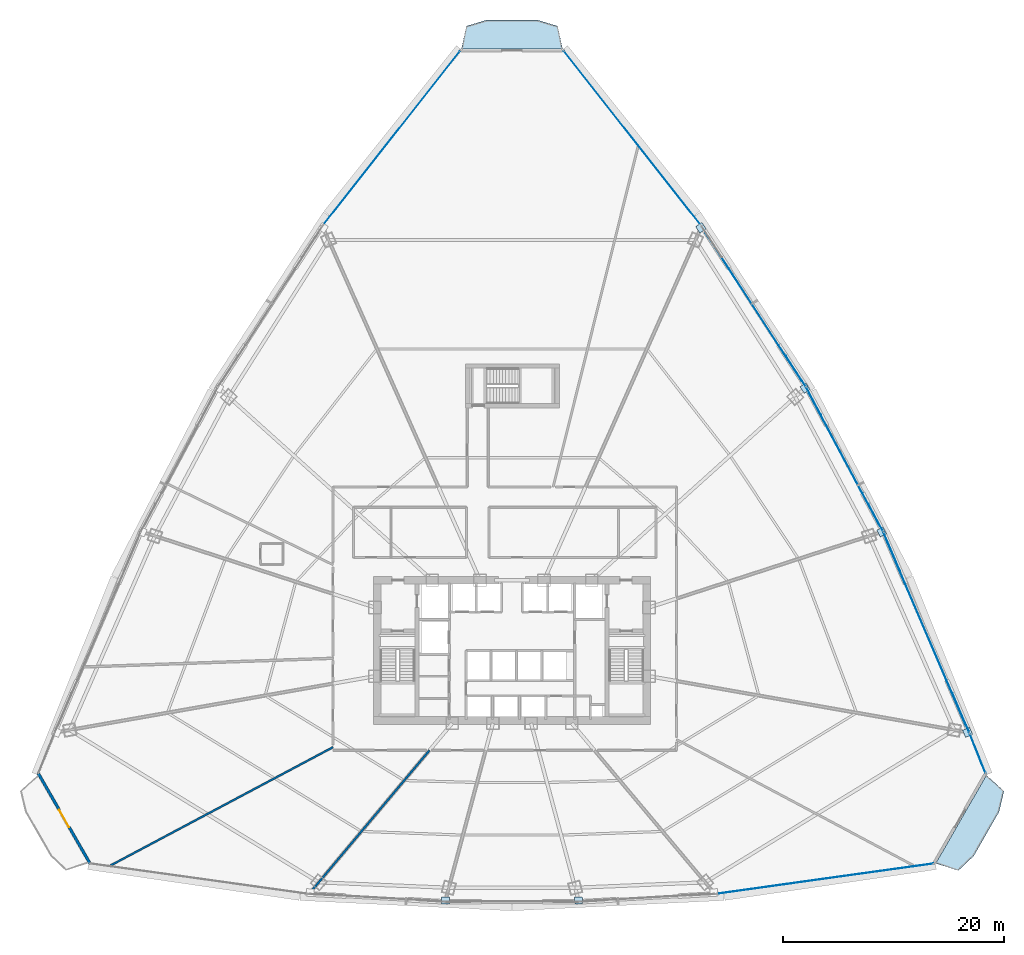
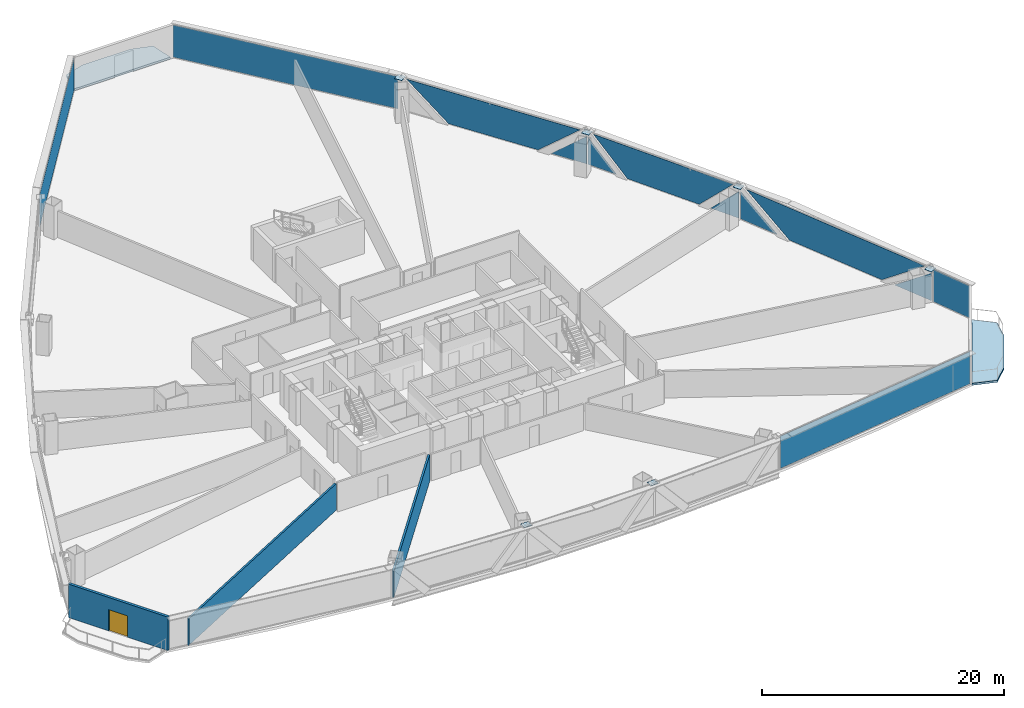
# One storey, part 28 of 37: 18 plates, 3 walls, 2 slabs, 1 door, 1 opening, 7 elements without a shape of their own.
"""IFC4 building model written with IfcOpenShell, lengths in metres."""

from ifc_helpers import new_model, si_unit, direction, frame, frame_2d, origin, origin_with_axes, origin_2d, place, context, subcontext, project, spatial, polyline, rectangle, outline, extrude, source, transform, mapped, material, layer, layer_set, type_object, element, fill, aggregate, save


model = new_model("IFC4")

# Units and contexts
model_context = context("Model", 3, precision=1e-05, world=origin(), true_north=direction((0.0, 1.0)))
body_context = subcontext(model_context, "Body", "Model", "MODEL_VIEW")
ifc_project = project(units=[si_unit("LENGTHUNIT", "METRE"), si_unit("AREAUNIT", "SQUARE_METRE"), si_unit("VOLUMEUNIT", "CUBIC_METRE"), si_unit("PLANEANGLEUNIT", "RADIAN"), si_unit("MASSUNIT", "GRAM", prefix="KILO"), si_unit("THERMODYNAMICTEMPERATUREUNIT", "KELVIN"), si_unit("POWERUNIT", "WATT")], contexts=[model_context])

# Site, building, storey
site_placement = place(None, origin())
site = spatial("IfcSite", under=ifc_project, at=site_placement, CompositionType="ELEMENT")
building_placement = place(site_placement, origin())
building = spatial("IfcBuilding", under=site, at=building_placement, Name="Yunzhuo Pagoda Commons", CompositionType="ELEMENT")
storey_placement = place(building_placement, frame((0.0, 0.0, 59.43994140625)))
storey = spatial("IfcBuildingStorey", under=building, at=storey_placement, Name="L15", CompositionType="ELEMENT", Elevation=59.43994140625)

# Curtain wall, plates
ifc_material_1 = material(Name="Anodized aluminium 6063-T6", Category="aluminium")
ifc_layer_1 = layer(ifc_material_1, 0.1650390625)
ifc_layer_set_1 = layer_set([ifc_layer_1], Name="Anodized aluminium 6063-T6")
curtain_wall_type = type_object("IfcCurtainWallType", Name="CW-LOW Low-Zone Ribbon Curtain Wall", PredefinedType="NOTDEFINED", material=ifc_layer_set_1)
curtain_wall_1_placement = place(storey_placement, origin())
curtain_wall_1 = element("IfcCurtainWall", 1, at=curtain_wall_1_placement, inside=storey, type_object=curtain_wall_type, Name="L15 curtain wall CW-L15-F2B2", PredefinedType="NOTDEFINED")
ifc_material_2 = material(Name="Tempered low-e double glazing", Category="glass")
ifc_layer_2 = layer(ifc_material_2, 0.028076171875)
ifc_layer_set_2 = layer_set([ifc_layer_2], Name="Tempered low-e double glazing")
plate_type_1 = type_object("IfcPlateType", Name="CW-LOW-P Low-E Double Glazing 28", PredefinedType="CURTAIN_PANEL", material=ifc_layer_set_2)
plate_1_placement = place(storey_placement, frame((88.630615234375, 28.201904296875, 1.455810546875), z_axis=(0.918993139703, 0.394273520769, 0.0), x_axis=(-0.394273520769, 0.918993139703, 0.0)))
plate_1 = element("IfcPlate", 2, at=plate_1_placement, type_object=plate_type_1, Name="CW panel 1.1 lite 1", PredefinedType="CURTAIN_PANEL", context=body_context, shape_type="SweptSolid", body=[
    extrude(outline(polyline([(-1.906005859375, -1.395751953125), (1.906005859375, -1.395751953125), (-1.906005859375, 1.395751953125), (-1.906005859375, -1.395751953125)])), origin(), (0.0, 0.0, 1.0), 0.028076171875),
])
plate_2_placement = place(storey_placement, frame((85.47119140625, 35.489990234375, 1.68505859375), z_axis=(0.918993139703, 0.394273520769, 0.0), x_axis=(-0.394273520769, 0.918993139703, 0.0)))
plate_2 = element("IfcPlate", 3, at=plate_2_placement, type_object=plate_type_1, Name="CW panel 1.1 lite 2", PredefinedType="CURTAIN_PANEL", context=body_context, shape_type="SweptSolid", body=[
    extrude(outline(polyline([(-9.18896484375, 1.625), (-4.750732421875, -1.625), (4.750732421875, -1.625), (9.18896484375, 1.625), (-9.18896484375, 1.625)])), origin(), (0.0, 0.0, 1.0), 0.028076171875),
])
plate_3_placement = place(storey_placement, frame((82.366943359375, 42.801513671875, 1.455810546875), z_axis=(0.918993139703, 0.394273520769, 0.0), x_axis=(-0.394273520769, 0.918993139703, 0.0)))
plate_3 = element("IfcPlate", 4, at=plate_3_placement, type_object=plate_type_1, Name="CW panel 1.1 lite 3", PredefinedType="CURTAIN_PANEL", context=body_context, shape_type="SweptSolid", body=[
    extrude(outline(polyline([(-1.906005859375, -1.395751953125), (1.906005859375, -1.395751953125), (1.906005859375, 1.395751953125), (-1.906005859375, -1.395751953125)])), origin(), (0.0, 0.0, 1.0), 0.028076171875),
])
aggregate(curtain_wall_1, [plate_1, plate_2, plate_3])

curtain_wall_2_placement = place(storey_placement, origin())
curtain_wall_2 = element("IfcCurtainWall", 5, at=curtain_wall_2_placement, inside=storey, type_object=curtain_wall_type, Name="L15 curtain wall CW-L15-F2B3", PredefinedType="NOTDEFINED")
plate_4_placement = place(storey_placement, frame((80.908935546875, 45.890380859375, 1.4169921875), z_axis=(0.882469570104, 0.470369490762, 0.0), x_axis=(-0.470369490762, 0.882469570104, 0.0)))
plate_4 = element("IfcPlate", 6, at=plate_4_placement, type_object=plate_type_1, Name="CW panel 1.1 lite 1", PredefinedType="CURTAIN_PANEL", context=body_context, shape_type="SweptSolid", body=[
    extrude(outline(polyline([(-1.3837890625, -1.35693359375), (1.3837890625, -1.35693359375), (-1.3837890625, 1.35693359375), (-1.3837890625, -1.35693359375)])), origin(), (0.0, 0.0, 1.0), 0.028076171875),
])
plate_5_placement = place(storey_placement, frame((78.08154296875, 51.131103515625, 1.68505859375), z_axis=(0.882469570104, 0.470369490762, 0.0), x_axis=(-0.470369490762, 0.882469570104, 0.0)))
plate_5 = element("IfcPlate", 7, at=plate_5_placement, type_object=plate_type_1, Name="CW panel 1.1 lite 2", PredefinedType="CURTAIN_PANEL", context=body_context, shape_type="SweptSolid", body=[
    extrude(outline(polyline([(-6.799560546875, 1.625), (-3.4853515625, -1.625), (3.4853515625, -1.625), (6.799560546875, 1.625), (-6.799560546875, 1.625)])), origin(), (0.0, 0.0, 1.0), 0.028076171875),
])
plate_6_placement = place(storey_placement, frame((75.30712890625, 56.39990234375, 1.4169921875), z_axis=(0.882469570104, 0.470369490762, 0.0), x_axis=(-0.470369490762, 0.882469570104, 0.0)))
plate_6 = element("IfcPlate", 8, at=plate_6_placement, type_object=plate_type_1, Name="CW panel 1.1 lite 3", PredefinedType="CURTAIN_PANEL", context=body_context, shape_type="SweptSolid", body=[
    extrude(outline(polyline([(-1.3837890625, -1.35693359375), (1.3837890625, -1.35693359375), (1.3837890625, 1.35693359375), (-1.3837890625, -1.35693359375)])), origin(), (0.0, 0.0, 1.0), 0.028076171875),
])
aggregate(curtain_wall_2, [plate_4, plate_5, plate_6])

curtain_wall_3_placement = place(storey_placement, origin())
curtain_wall_3 = element("IfcCurtainWall", 9, at=curtain_wall_3_placement, inside=storey, type_object=curtain_wall_type, Name="L15 curtain wall CW-L15-F2B4", PredefinedType="NOTDEFINED")
plate_7_placement = place(storey_placement, frame((73.691162109375, 59.118408203125, 1.4404296875), z_axis=(0.838776712394, 0.544475552018, 0.0), x_axis=(-0.544475552018, 0.838776712394, 0.0)))
plate_7 = element("IfcPlate", 10, at=plate_7_placement, type_object=plate_type_1, Name="CW panel 1.1 lite 1", PredefinedType="CURTAIN_PANEL", context=body_context, shape_type="SweptSolid", body=[
    extrude(outline(polyline([(-1.652587890625, -1.38037109375), (1.65283203125, -1.38037109375), (-1.652587890625, 1.38037109375), (-1.652587890625, -1.38037109375)])), origin(), (0.0, 0.0, 1.0), 0.028076171875),
])
plate_8_placement = place(storey_placement, frame((69.867919921875, 64.952880859375, 1.68505859375), z_axis=(0.838776712394, 0.544475552018, 0.0), x_axis=(-0.544475552018, 0.838776712394, 0.0)))
plate_8 = element("IfcPlate", 11, at=plate_8_placement, type_object=plate_type_1, Name="CW panel 1.1 lite 2", PredefinedType="CURTAIN_PANEL", context=body_context, shape_type="SweptSolid", body=[
    extrude(outline(polyline([(-8.028564453125, 1.625), (-4.136962890625, -1.625), (4.136962890625, -1.625), (8.028564453125, 1.625), (-8.028564453125, 1.625)])), origin(), (0.0, 0.0, 1.0), 0.028076171875),
])
aggregate(curtain_wall_3, [plate_7, plate_8])

# Slabs
ifc_material_3 = material(Name="Concrete C40", Category="concrete")
ifc_layer_3 = layer(ifc_material_3, 0.199951171875)
ifc_layer_set_3 = layer_set([ifc_layer_3], Name="Concrete C40")
slab_type = type_object("IfcSlabType", Name="SL-BAL Vertex Balcony Deck Slab 200", PredefinedType="FLOOR", material=ifc_layer_set_3)
slab_1_placement = place(storey_placement, frame((0.0, 0.0, -0.199951171875)))
element("IfcSlab", 12, at=slab_1_placement, inside=storey, type_object=slab_type, Name="L15 corner balcony V2", PredefinedType="FLOOR", context=body_context, shape_type="SweptSolid", body=[
    extrude(outline(polyline([(86.37548828125, 14.561767578125), (90.95849609375, 22.5439453125), (92.551513671875, 21.110595703125), (92.106689453125, 19.2314453125), (89.815185546875, 15.240234375), (88.41650390625, 13.908935546875), (86.37548828125, 14.561767578125)])), origin(), (0.0, 0.0, 1.0), 0.199951171875),
])
slab_2_placement = place(storey_placement, frame((0.0, 0.0, -0.199951171875)))
element("IfcSlab", 13, at=slab_2_placement, inside=storey, type_object=slab_type, Name="L15 corner balcony V3", PredefinedType="FLOOR", context=body_context, shape_type="SweptSolid", body=[
    extrude(outline(polyline([(52.5830078125, 88.285400390625), (43.4169921875, 88.285400390625), (43.866943359375, 90.38037109375), (45.70849609375, 90.930419921875), (50.29150390625, 90.930419921875), (52.133056640625, 90.38037109375), (52.5830078125, 88.285400390625)])), origin(), (0.0, 0.0, 1.0), 0.199951171875),
])

# Plates
ifc_material_4 = material(Name="Structural steel Q355B", Category="steel")
ifc_layer_4 = layer(ifc_material_4, 0.028076171875)
ifc_layer_set_4 = layer_set([ifc_layer_4], Name="Structural steel Q355B")
plate_type_2 = type_object("IfcPlateType", Name="SP-ND1 Lattice Node Cap Plate 800x500x28", PredefinedType="USERDEFINED", material=ifc_layer_set_4)
shared_shape_1 = source(origin(), body_context, "Body", "SweptSolid", [
    extrude(rectangle(XDim=0.699951171875, YDim=0.62255859375, at=origin_2d()), origin(), (0.0, 0.0, 1.0), 0.035888671875),
])
for number, where, z_axis, x_axis, name in (
    (14, (41.972900390625, 11.206298828125, 3.33203125), (0.0, 0.0, 1.0), (1.0, 0.0, 0.0), "L15 setback lattice tie plate F1.2L"),
    (15, (54.027099609375, 11.206298828125, 3.33203125), (0.0, 0.0, 1.0), (0.998335783049, 0.057668572754, 0.0), "L15 setback lattice tie plate F1.3L"),
):
    element("IfcPlate", number, at=place(storey_placement, frame(where, z_axis=z_axis, x_axis=x_axis)), inside=storey, type_object=plate_type_2, Name=name, ObjectType="STIFFENER_PLATE", PredefinedType="USERDEFINED", context=body_context, shape_type="MappedRepresentation", body=[
        mapped(shared_shape_1, transform((0.0, 0.0, 0.0), scale=1.0)),
    ])
shared_shape_2 = source(origin(), body_context, "Body", "SweptSolid", [
    extrude(rectangle(XDim=0.699951171875, YDim=0.694091796875, at=origin_2d()), origin(), (0.0, 0.0, 1.0), 0.035888671875),
])
plate_9_placement = place(storey_placement, frame((89.251220703125, 26.42626953125, 3.33203125), z_axis=(0.0, 0.0, 1.0), x_axis=(-0.39427876382, 0.918990890271, 0.0)))
element("IfcPlate", 16, at=plate_9_placement, inside=storey, type_object=plate_type_2, Name="L15 setback lattice tie plate F2.1L", ObjectType="STIFFENER_PLATE", PredefinedType="USERDEFINED", context=body_context, shape_type="MappedRepresentation", body=[
    mapped(shared_shape_2, transform((0.0, 0.0, 0.0), scale=1.0)),
])
shared_shape_3 = source(origin(), body_context, "Body", "SweptSolid", [
    extrude(rectangle(XDim=0.699951171875, YDim=0.6328125, at=origin_2d()), origin(), (0.0, 0.0, 1.0), 0.035888671875),
])
plate_10_placement = place(storey_placement, frame((81.468505859375, 44.57470703125, 3.33203125), z_axis=(0.0, 0.0, 1.0), x_axis=(-0.470365121964, 0.882471898725, 0.0)))
element("IfcPlate", 17, at=plate_10_placement, inside=storey, type_object=plate_type_2, Name="L15 setback lattice tie plate F2.2L", ObjectType="STIFFENER_PLATE", PredefinedType="USERDEFINED", context=body_context, shape_type="MappedRepresentation", body=[
    mapped(shared_shape_3, transform((0.0, 0.0, 0.0), scale=1.0)),
])
shared_shape_4 = source(origin(), body_context, "Body", "SweptSolid", [
    extrude(rectangle(XDim=0.699951171875, YDim=0.63134765625, at=origin_2d()), origin(), (0.0, 0.0, 1.0), 0.035888671875),
])
plate_11_placement = place(storey_placement, frame((74.533447265625, 57.5908203125, 3.33203125), z_axis=(0.0, 0.0, 1.0), x_axis=(-0.544478011788, 0.838775115677, 0.0)))
element("IfcPlate", 18, at=plate_11_placement, inside=storey, type_object=plate_type_2, Name="L15 setback lattice tie plate F2.3L", ObjectType="STIFFENER_PLATE", PredefinedType="USERDEFINED", context=body_context, shape_type="MappedRepresentation", body=[
    mapped(shared_shape_4, transform((0.0, 0.0, 0.0), scale=1.0)),
])
shared_shape_5 = source(origin(), body_context, "Body", "SweptSolid", [
    extrude(rectangle(XDim=0.699951171875, YDim=0.678955078125, at=origin_2d()), origin(), (0.0, 0.0, 1.0), 0.035888671875),
])
plate_12_placement = place(storey_placement, frame((65.104736328125, 72.117919921875, 3.33203125), z_axis=(0.0, 0.0, 1.0), x_axis=(-0.544478011788, 0.838775115677, 0.0)))
element("IfcPlate", 19, at=plate_12_placement, inside=storey, type_object=plate_type_2, Name="L15 setback lattice tie plate F2.3R", ObjectType="STIFFENER_PLATE", PredefinedType="USERDEFINED", context=body_context, shape_type="MappedRepresentation", body=[
    mapped(shared_shape_5, transform((0.0, 0.0, 0.0), scale=1.0)),
])

# Curtain wall, plate
curtain_wall_4_placement = place(storey_placement, origin())
curtain_wall_4 = element("IfcCurtainWall", 20, at=curtain_wall_4_placement, inside=storey, type_object=curtain_wall_type, Name="L15 curtain wall CW-L15-F1B5", PredefinedType="NOTDEFINED")
shared_shape_6 = source(origin(), body_context, "Body", "SweptSolid", [
    extrude(rectangle(XDim=19.809814453125, YDim=0.028076171875, at=origin_2d()), origin(), (0.0, 0.0, 1.0), 3.25),
])
plate_13_placement = place(storey_placement, frame((76.336669921875, 13.171630859375, 0.06005859375), z_axis=(0.0, 0.0, 1.0), x_axis=(0.990445462871, 0.13790498569, 0.0)))
plate_13 = element("IfcPlate", 21, at=plate_13_placement, type_object=plate_type_1, Name="CW panel 1.1", PredefinedType="CURTAIN_PANEL", context=body_context, shape_type="MappedRepresentation", body=[
    mapped(shared_shape_6, transform((0.0, 0.0, 0.0), scale=1.0)),
])
aggregate(curtain_wall_4, [plate_13])

curtain_wall_5_placement = place(storey_placement, origin())
curtain_wall_5 = element("IfcCurtainWall", 22, at=curtain_wall_5_placement, inside=storey, type_object=curtain_wall_type, Name="L15 curtain wall CW-L15-F2B1", PredefinedType="NOTDEFINED")
shared_shape_7 = source(origin(), body_context, "Body", "SweptSolid", [
    extrude(rectangle(XDim=3.7783203125, YDim=0.028076171875, at=origin_2d()), origin(), (0.0, 0.0, 1.0), 3.25),
])
plate_14_placement = place(storey_placement, frame((90.16845703125, 24.510009765625, 0.06005859375), z_axis=(0.0, 0.0, 1.0), x_axis=(-0.368614284542, 0.929582438104, 0.0)))
plate_14 = element("IfcPlate", 23, at=plate_14_placement, type_object=plate_type_1, Name="CW panel 1.1", PredefinedType="CURTAIN_PANEL", context=body_context, shape_type="MappedRepresentation", body=[
    mapped(shared_shape_7, transform((0.0, 0.0, 0.0), scale=1.0)),
])
aggregate(curtain_wall_5, [plate_14])

curtain_wall_6_placement = place(storey_placement, origin())
curtain_wall_6 = element("IfcCurtainWall", 24, at=curtain_wall_6_placement, inside=storey, type_object=curtain_wall_type, Name="L15 curtain wall CW-L15-F2B5", PredefinedType="NOTDEFINED")
shared_shape_8 = source(origin(), body_context, "Body", "SweptSolid", [
    extrude(rectangle(XDim=20.002197265625, YDim=0.028076171875, at=origin_2d()), origin(), (0.0, 0.0, 1.0), 3.25),
])
plate_15_placement = place(storey_placement, frame((58.901611328125, 80.23876953125, 0.06005859375), z_axis=(0.0, 0.0, 1.0), x_axis=(-0.618272474794, 0.785963833081, 0.0)))
plate_15 = element("IfcPlate", 25, at=plate_15_placement, type_object=plate_type_1, Name="CW panel 1.1", PredefinedType="CURTAIN_PANEL", context=body_context, shape_type="MappedRepresentation", body=[
    mapped(shared_shape_8, transform((0.0, 0.0, 0.0), scale=1.0)),
])
aggregate(curtain_wall_6, [plate_15])

curtain_wall_7_placement = place(storey_placement, origin())
curtain_wall_7 = element("IfcCurtainWall", 26, at=curtain_wall_7_placement, inside=storey, type_object=curtain_wall_type, Name="L15 curtain wall CW-L15-F3B1", PredefinedType="NOTDEFINED")
plate_16_placement = place(storey_placement, frame((37.098388671875, 80.23876953125, 0.06005859375), z_axis=(0.0, 0.0, 1.0), x_axis=(-0.618272474794, -0.785963833081, 0.0)))
plate_16 = element("IfcPlate", 27, at=plate_16_placement, type_object=plate_type_1, Name="CW panel 1.1", PredefinedType="CURTAIN_PANEL", context=body_context, shape_type="MappedRepresentation", body=[
    mapped(shared_shape_8, transform((0.0, 0.0, 0.0), scale=1.0)),
])
aggregate(curtain_wall_7, [plate_16])

# Wall, opening, door
ifc_material_5 = material(Name="Precast concrete C40", Category="concrete")
ifc_layer_5 = layer(ifc_material_5, 0.260009765625)
ifc_layer_set_5 = layer_set([ifc_layer_5], Name="Precast concrete C40")
wall_type_1 = type_object("IfcWallType", Name="W-BAL1 Corner Balcony Threshold Wall 260", PredefinedType="STANDARD", material=ifc_layer_set_5)
wall_1_placement = place(storey_placement, frame((5.083740234375, 22.7412109375, 0.0), z_axis=(0.0, 0.0, 1.0), x_axis=(0.497919395469, -0.86722331358, 0.0)))
wall_1 = element("IfcWall", 28, at=wall_1_placement, inside=storey, type_object=wall_type_1, Name="L15 corner balcony wall V1", PredefinedType="STANDARD", context=body_context, shape_type="SweptSolid", body=[
    extrude(rectangle(XDim=9.50439453125, YDim=0.260009765625, at=frame_2d((4.752197265625, 0.0))), origin(), (0.0, 0.0, 1.0), 3.3701171875),
])
opening_placement = place(wall_1_placement, frame((3.852294921875, 0.0, 0.0)))
opening = element("IfcOpeningElement", 29, at=opening_placement, cuts=wall_1, Name="Opening D-BAL1", PredefinedType="OPENING", context=body_context, shape_type="SweptSolid", body=[
    extrude(rectangle(XDim=1.800048828125, YDim=2.14990234375, at=frame_2d((0.89990234375, 1.074951171875))), frame((0.0, 0.14013671875, 0.0), z_axis=(0.0, -1.0, 0.0), x_axis=(1.0, 0.0, 0.0)), (0.0, 0.0, 1.0), 0.280029296875),
])
ifc_material_6 = material(Name="Anodized aluminium frame and tempered glazed leaf", Category="aluminium")
door_type = type_object("IfcDoorType", Name="D-BAL1 Corner Balcony Sliding Glazed Door 1800x2150", OperationType="DOUBLE_DOOR_SLIDING", PredefinedType="DOOR", material=ifc_material_6)
shared_shape_9 = source(origin(), body_context, "Body", "SweptSolid", [
    extrude(rectangle(XDim=1.800048828125, YDim=2.14990234375, at=frame_2d((0.89990234375, 1.074951171875))), frame((0.0, 0.02490234375, 0.0), z_axis=(0.0, -1.0, 0.0), x_axis=(1.0, 0.0, 0.0)), (0.0, 0.0, 1.0), 0.050048828125),
])
door_placement = place(opening_placement, origin_with_axes())
door = element("IfcDoor", 30, at=door_placement, inside=storey, type_object=door_type, Name="L15 corner balcony sliding door V1", OperationType="DOUBLE_DOOR_SLIDING", OverallHeight=2.14990234375, OverallWidth=1.800048828125, PredefinedType="DOOR", context=body_context, shape_type="MappedRepresentation", body=[
    mapped(shared_shape_9, transform((0.0, 0.0, 0.0), scale=1.0)),
])
fill(opening, door)

# Walls
ifc_material_7 = material(Name="Gypsum plasterboard on acoustic stud")
ifc_layer_6 = layer(ifc_material_7, 0.179931640625)
ifc_layer_set_6 = layer_set([ifc_layer_6], Name="Gypsum plasterboard on acoustic stud")
wall_type_2 = type_object("IfcWallType", Name="W-PRT2 Acoustic Unit Demising Wall 180", PredefinedType="PARTITIONING", material=ifc_layer_set_6)
wall_2_placement = place(storey_placement, frame((31.800048828125, 25.086181640625, 0.0), z_axis=(0.0, 0.0, 1.0), x_axis=(-0.882952279159, -0.469462749032, 0.0)))
element("IfcWall", 31, at=wall_2_placement, inside=storey, type_object=wall_type_2, Name="L15 interior wall IW-L15-RAD09", PredefinedType="PARTITIONING", context=body_context, shape_type="SweptSolid", body=[
    extrude(rectangle(XDim=22.964599609375, YDim=0.179931640625, at=frame_2d((11.482421875, 0.0))), origin(), (0.0, 0.0, 1.0), 2.670166015625),
])
wall_3_placement = place(storey_placement, frame((40.531982421875, 24.800048828125, 0.0), z_axis=(0.0, 0.0, 1.0), x_axis=(-0.642791593325, -0.766041100432, 0.0)))
element("IfcWall", 32, at=wall_3_placement, inside=storey, type_object=wall_type_2, Name="L15 interior wall IW-L15-RAD10", PredefinedType="PARTITIONING", context=body_context, shape_type="SweptSolid", body=[
    extrude(rectangle(XDim=16.98779296875, YDim=0.179931640625, at=frame_2d((8.493896484375, 0.0))), origin(), (0.0, 0.0, 1.0), 2.670166015625),
])

save(model, "model.ifc")
